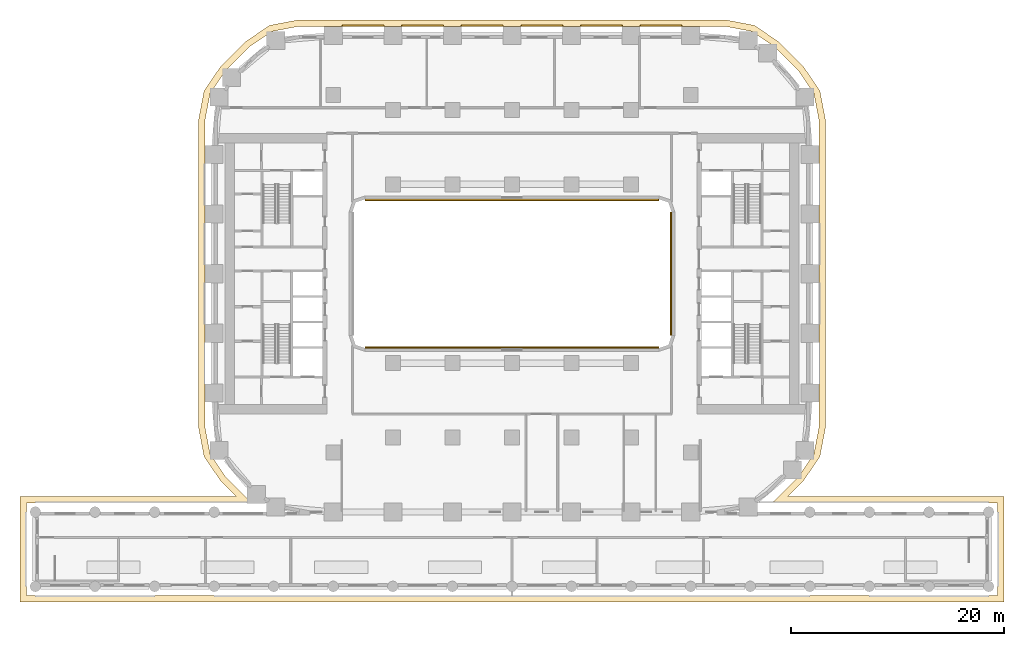
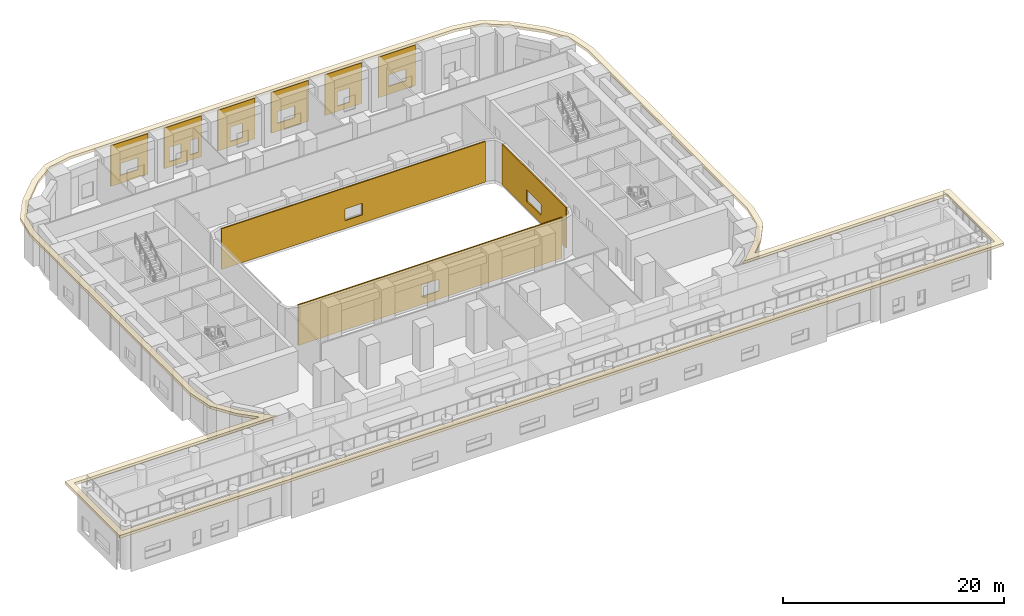
# One storey, part 11 of 13: 10 coverings.
"""IFC4 building model written with IfcOpenShell, lengths in metres."""

from ifc_helpers import new_model, si_unit, direction, frame, origin, place, context, subcontext, project, spatial, polyline, outline, extrude, material, layer, layer_set, type_object, element, save


model = new_model("IFC4")

# Units and contexts
model_context = context("Model", 3, precision=1e-05, world=origin(), true_north=direction((0.0, 1.0)))
body_context = subcontext(model_context, "Body", "Model", "MODEL_VIEW")
ifc_project = project(units=[si_unit("LENGTHUNIT", "METRE"), si_unit("AREAUNIT", "SQUARE_METRE"), si_unit("VOLUMEUNIT", "CUBIC_METRE"), si_unit("PLANEANGLEUNIT", "RADIAN"), si_unit("MASSUNIT", "GRAM", prefix="KILO")], contexts=[model_context])

# Site, building, storey
site_placement = place(None, origin())
site = spatial("IfcSite", under=ifc_project, at=site_placement, CompositionType="ELEMENT")
building_placement = place(site_placement, origin())
building = spatial("IfcBuilding", under=site, at=building_placement, Name="Kiln Ring Residences", CompositionType="ELEMENT")
storey_placement = place(building_placement, frame((0.0, 0.0, 25.699951171875)))
storey = spatial("IfcBuildingStorey", under=building, at=storey_placement, Name="L05", CompositionType="ELEMENT", Elevation=25.699951171875)

# Coverings
ifc_material_1 = material(Name="Brick masonry, dark clay brick", Category="masonry")
ifc_layer_1 = layer(ifc_material_1, 0.1201171875)
ifc_layer_set_1 = layer_set([ifc_layer_1], Name="RAINSCREEN PANEL 120")
covering_type_1 = type_object("IfcCoveringType", Name="RAINSCREEN PANEL 120", PredefinedType="CLADDING", material=ifc_layer_set_1)
covering_1_placement = place(storey_placement, frame((15.949951171875, 23.31005859375, 0.0), z_axis=(0.0, 0.0, 1.0), x_axis=(-1.0, 0.0, 0.0)))
element("IfcCovering", 1, at=covering_1_placement, inside=storey, type_object=covering_type_1, Name="RAINSCREEN L05", PredefinedType="CLADDING", context=body_context, shape_type="SweptSolid", body=[
    extrude(outline(polyline([(0.0, 0.0), (3.89990234375, 0.0), (3.89990234375, 4.5), (0.0, 4.5), (0.0, 0.0)]), holes=[polyline([(1.017578125, 2.170166015625), (1.017578125, 0.880126953125), (2.857421875, 0.880126953125), (2.857421875, 2.170166015625), (1.017578125, 2.170166015625)])]), frame((0.0, 0.06005859375, 0.0), z_axis=(0.0, -1.0, 0.0), x_axis=(1.0, 0.0, 0.0)), (0.0, 0.0, 1.0), 0.1201171875),
])
covering_2_placement = place(storey_placement, frame((10.35009765625, 23.31005859375, 0.0), z_axis=(0.0, 0.0, 1.0), x_axis=(-1.0, 0.0, 0.0)))
element("IfcCovering", 2, at=covering_2_placement, inside=storey, type_object=covering_type_1, Name="RAINSCREEN L05", PredefinedType="CLADDING", context=body_context, shape_type="SweptSolid", body=[
    extrude(outline(polyline([(0.0, 0.0), (3.89990234375, 0.0), (3.89990234375, 4.5), (0.0, 4.5), (0.0, 0.0)]), holes=[polyline([(1.330078125, 2.170166015625), (1.330078125, 0.580078125), (2.570068359375, 0.580078125), (2.570068359375, 2.170166015625), (1.330078125, 2.170166015625)])]), frame((0.0, 0.06005859375, 0.0), z_axis=(0.0, -1.0, 0.0), x_axis=(1.0, 0.0, 0.0)), (0.0, 0.0, 1.0), 0.1201171875),
])
covering_3_placement = place(storey_placement, frame((4.75, 23.31005859375, 0.0), z_axis=(0.0, 0.0, 1.0), x_axis=(-1.0, 0.0, 0.0)))
element("IfcCovering", 3, at=covering_3_placement, inside=storey, type_object=covering_type_1, Name="RAINSCREEN L05", PredefinedType="CLADDING", context=body_context, shape_type="SweptSolid", body=[
    extrude(outline(polyline([(0.0, 0.0), (3.89990234375, 0.0), (3.89990234375, 4.5), (0.0, 4.5), (0.0, 0.0)]), holes=[polyline([(1.4423828125, 2.170166015625), (1.4423828125, 0.880126953125), (3.282470703125, 0.880126953125), (3.282470703125, 2.170166015625), (1.4423828125, 2.170166015625)])]), frame((0.0, 0.06005859375, 0.0), z_axis=(0.0, -1.0, 0.0), x_axis=(1.0, 0.0, 0.0)), (0.0, 0.0, 1.0), 0.1201171875),
])
covering_4_placement = place(storey_placement, frame((-0.85009765625, 23.31005859375, 0.0), z_axis=(0.0, 0.0, 1.0), x_axis=(-1.0, 0.0, 0.0)))
element("IfcCovering", 4, at=covering_4_placement, inside=storey, type_object=covering_type_1, Name="RAINSCREEN L05", PredefinedType="CLADDING", context=body_context, shape_type="SweptSolid", body=[
    extrude(outline(polyline([(0.0, 0.0), (3.89990234375, 0.0), (3.89990234375, 4.5), (0.0, 4.5), (0.0, 0.0)]), holes=[polyline([(1.330078125, 2.170166015625), (1.330078125, 0.580078125), (2.570068359375, 0.580078125), (2.570068359375, 2.170166015625), (1.330078125, 2.170166015625)])]), frame((0.0, 0.06005859375, 0.0), z_axis=(0.0, -1.0, 0.0), x_axis=(1.0, 0.0, 0.0)), (0.0, 0.0, 1.0), 0.1201171875),
])
covering_5_placement = place(storey_placement, frame((-6.449951171875, 23.31005859375, 0.0), z_axis=(0.0, 0.0, 1.0), x_axis=(-1.0, 0.0, 0.0)))
element("IfcCovering", 5, at=covering_5_placement, inside=storey, type_object=covering_type_1, Name="RAINSCREEN L05", PredefinedType="CLADDING", context=body_context, shape_type="SweptSolid", body=[
    extrude(outline(polyline([(0.0, 0.0), (3.89990234375, 0.0), (3.89990234375, 4.5), (0.0, 4.5), (0.0, 0.0)]), holes=[polyline([(1.157470703125, 2.170166015625), (0.3173828125, 2.170166015625), (0.3173828125, 0.580078125), (1.157470703125, 0.580078125), (1.157470703125, 2.170166015625)]), polyline([(3.382568359375, 2.170166015625), (2.142578125, 2.170166015625), (2.142578125, 0.580078125), (3.382568359375, 0.580078125), (3.382568359375, 2.170166015625)])]), frame((0.0, 0.06005859375, 0.0), z_axis=(0.0, -1.0, 0.0), x_axis=(1.0, 0.0, 0.0)), (0.0, 0.0, 1.0), 0.1201171875),
])
covering_6_placement = place(storey_placement, frame((-12.050048828125, 23.31005859375, 0.0), z_axis=(0.0, 0.0, 1.0), x_axis=(-1.0, 0.0, 0.0)))
element("IfcCovering", 6, at=covering_6_placement, inside=storey, type_object=covering_type_1, Name="RAINSCREEN L05", PredefinedType="CLADDING", context=body_context, shape_type="SweptSolid", body=[
    extrude(outline(polyline([(0.0, 0.0), (3.89990234375, 0.0), (3.89990234375, 4.5), (0.0, 4.5), (0.0, 0.0)]), holes=[polyline([(1.030029296875, 2.170166015625), (1.030029296875, 0.880126953125), (2.8701171875, 0.880126953125), (2.8701171875, 2.170166015625), (1.030029296875, 2.170166015625)])]), frame((0.0, 0.06005859375, 0.0), z_axis=(0.0, -1.0, 0.0), x_axis=(1.0, 0.0, 0.0)), (0.0, 0.0, 1.0), 0.1201171875),
])
covering_7_placement = place(storey_placement, frame((-13.800048828125, 6.93994140625, 0.0), z_axis=(0.0, 0.0, 1.0), x_axis=(1.0, 0.0, 0.0)))
element("IfcCovering", 7, at=covering_7_placement, inside=storey, type_object=covering_type_1, Name="RAINSCREEN L05", PredefinedType="CLADDING", context=body_context, shape_type="SweptSolid", body=[
    extrude(outline(polyline([(0.0, 0.0), (27.60009765625, 0.0), (27.60009765625, 4.5), (0.0, 4.5), (0.0, 0.0)]), holes=[polyline([(12.8798828125, 2.170166015625), (12.8798828125, 0.880126953125), (14.719970703125, 0.880126953125), (14.719970703125, 2.170166015625), (12.8798828125, 2.170166015625)])]), frame((0.0, 0.06005859375, 0.0), z_axis=(0.0, -1.0, 0.0), x_axis=(1.0, 0.0, 0.0)), (0.0, 0.0, 1.0), 0.1201171875),
])
covering_8_placement = place(storey_placement, frame((14.93994140625, 5.800048828125, 0.0), z_axis=(0.0, 0.0, 1.0), x_axis=(0.0, -1.0, 0.0)))
element("IfcCovering", 8, at=covering_8_placement, inside=storey, type_object=covering_type_1, Name="RAINSCREEN L05", PredefinedType="CLADDING", context=body_context, shape_type="SweptSolid", body=[
    extrude(outline(polyline([(0.0, 0.0), (11.60009765625, 0.0), (11.60009765625, 4.5), (0.0, 4.5), (0.0, 0.0)]), holes=[polyline([(4.5, 2.150146484375), (4.5, 0.900146484375), (7.10009765625, 0.900146484375), (7.10009765625, 2.150146484375), (4.5, 2.150146484375)])]), frame((0.0, 0.06005859375, 0.0), z_axis=(0.0, -1.0, 0.0), x_axis=(1.0, 0.0, 0.0)), (0.0, 0.0, 1.0), 0.1201171875),
])
covering_9_placement = place(storey_placement, frame((13.800048828125, -6.93994140625, 0.0), z_axis=(0.0, 0.0, 1.0), x_axis=(-1.0, 0.0, 0.0)))
element("IfcCovering", 9, at=covering_9_placement, inside=storey, type_object=covering_type_1, Name="RAINSCREEN L05", PredefinedType="CLADDING", context=body_context, shape_type="SweptSolid", body=[
    extrude(outline(polyline([(0.0, 0.0), (27.60009765625, 0.0), (27.60009765625, 4.5), (0.0, 4.5), (0.0, 0.0)]), holes=[polyline([(12.8798828125, 2.170166015625), (12.8798828125, 0.880126953125), (14.719970703125, 0.880126953125), (14.719970703125, 2.170166015625), (12.8798828125, 2.170166015625)])]), frame((0.0, 0.06005859375, 0.0), z_axis=(0.0, -1.0, 0.0), x_axis=(1.0, 0.0, 0.0)), (0.0, 0.0, 1.0), 0.1201171875),
])
ifc_material_2 = material(Name="Black powder-coated steel", Category="steel")
ifc_layer_2 = layer(ifc_material_2, 0.300048828125)
ifc_layer_set_2 = layer_set([ifc_layer_2], Name="SUNSHADE FIN 600")
covering_type_2 = type_object("IfcCoveringType", Name="SUNSHADE FIN 600", PredefinedType="CLADDING", material=ifc_layer_set_2)
covering_10_placement = place(storey_placement, frame((0.0, 0.0, 4.5)))
element("IfcCovering", 10, at=covering_10_placement, inside=storey, type_object=covering_type_2, Name="SUNSHADE FIN L05", PredefinedType="CLADDING", context=body_context, shape_type="SweptSolid", body=[
    extrude(outline(polyline([(-27.42529296875, -19.42529296875), (-25.900634765625, -20.949951171875), (-46.25, -20.949951171875), (-46.25, -30.85009765625), (46.25, -30.85009765625), (46.25, -20.949951171875), (25.900634765625, -20.949951171875), (27.42529296875, -19.42529296875), (28.94384765625, -17.19091796875), (29.449951171875, -14.537109375), (29.449951171875, 14.537109375), (28.94384765625, 17.19091796875), (27.42529296875, 19.42529296875), (25.025390625, 21.8251953125), (22.791015625, 23.34375), (20.13720703125, 23.85009765625), (-20.13720703125, 23.85009765625), (-22.791015625, 23.34375), (-25.025390625, 21.8251953125), (-27.42529296875, 19.42529296875), (-28.94384765625, 17.19091796875), (-29.449951171875, 14.537109375), (-29.449951171875, -14.537109375), (-28.94384765625, -17.19091796875), (-27.42529296875, -19.42529296875)]), holes=[polyline([(-45.64990234375, -21.550048828125), (-24.36279296875, -21.550048828125), (-24.641357421875, -21.36083984375), (-26.960693359375, -19.041259765625), (-28.377685546875, -16.956298828125), (-28.85009765625, -14.480224609375), (-28.85009765625, 14.480224609375), (-28.377685546875, 16.956298828125), (-26.960693359375, 19.041259765625), (-24.641357421875, 21.36083984375), (-22.556396484375, 22.777587890625), (-20.080322265625, 23.25), (20.080322265625, 23.25), (22.556396484375, 22.777587890625), (24.641357421875, 21.36083984375), (26.960693359375, 19.041259765625), (28.377685546875, 16.956298828125), (28.85009765625, 14.480224609375), (28.85009765625, -14.480224609375), (28.377685546875, -16.956298828125), (26.960693359375, -19.041259765625), (24.641357421875, -21.36083984375), (24.36279296875, -21.550048828125), (45.64990234375, -21.550048828125), (45.64990234375, -30.25), (-45.64990234375, -30.25), (-45.64990234375, -21.550048828125)])]), origin(), (0.0, 0.0, 1.0), 0.300048828125),
])

save(model, "model.ifc")
